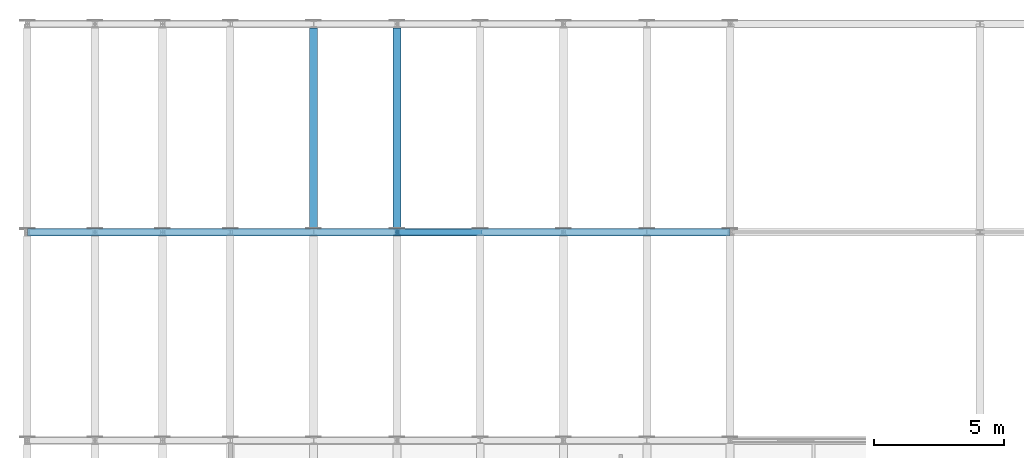
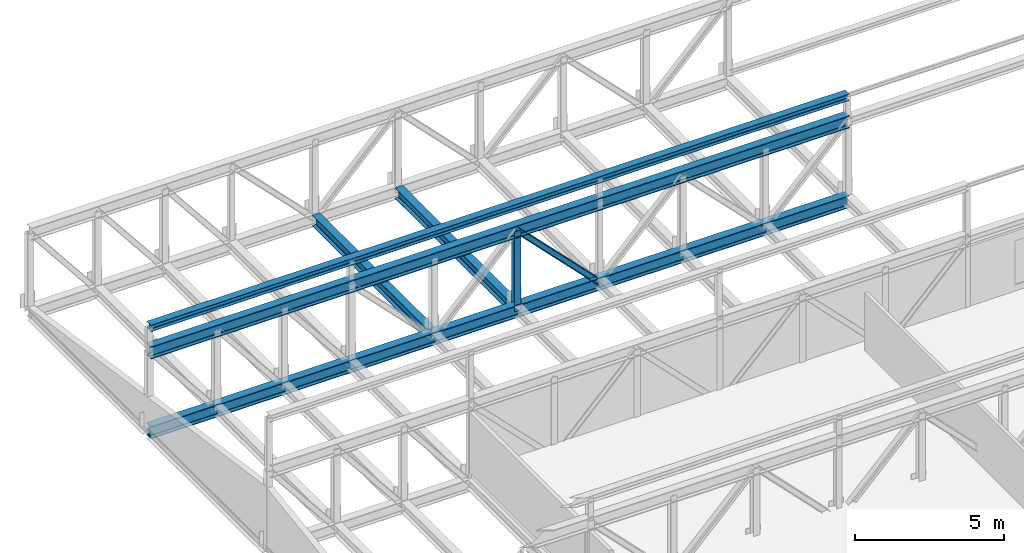
# One storey, part 19 of 34: 5 beams, 2 members.
"""IFC4 building model written with IfcOpenShell, lengths in metres."""

from ifc_helpers import new_model, si_unit, direction, frame, origin, origin_2d, place, context, subcontext, project, spatial, i_section, extrude, material, material_profile, profile_set, type_object, element, save


model = new_model("IFC4")

# Units and contexts
model_context = context("Model", 3, precision=1e-05, world=origin(), true_north=direction((0.0, 1.0)))
body_context = subcontext(model_context, "Body", "Model", "MODEL_VIEW")
ifc_project = project(units=[si_unit("LENGTHUNIT", "METRE"), si_unit("AREAUNIT", "SQUARE_METRE"), si_unit("VOLUMEUNIT", "CUBIC_METRE"), si_unit("PLANEANGLEUNIT", "RADIAN"), si_unit("MASSUNIT", "GRAM", prefix="KILO")], contexts=[model_context])

# Site, building, storey
site_placement = place(None, origin())
site = spatial("IfcSite", under=ifc_project, at=site_placement, CompositionType="ELEMENT")
building_placement = place(site_placement, origin())
building = spatial("IfcBuilding", under=site, at=building_placement, Name="Alderhovde Museum", CompositionType="ELEMENT")
storey_placement = place(building_placement, frame((0.0, 0.0, 25.800048828125)))
storey = spatial("IfcBuildingStorey", under=building, at=storey_placement, Name="L05", CompositionType="ELEMENT", Elevation=25.800048828125)

# Beams
ifc_material_1 = material(Name="Steel S355J2", Category="steel")
ifc_material_profile_1 = material_profile(ifc_material_1, i_section(OverallWidth=0.280029296875, OverallDepth=0.27001953125, WebThickness=0.008056640625, FlangeThickness=0.012939453125, FilletRadius=0.02392578125, at=origin_2d()), Name="HEA 280")
ifc_profile_set_1 = profile_set([ifc_material_profile_1], Name="Steel S355J2")
beam_type_1 = type_object("IfcBeamType", Name="BM-HEA280", PredefinedType="BEAM", material=ifc_profile_set_1)
beam_placement = place(storey_placement, frame((1.800048828125, 104.0, 3.75), z_axis=(1.0, 0.0, 0.0), x_axis=(0.0, 1.0, 0.0)))
element("IfcBeam", 1, at=beam_placement, inside=storey, type_object=beam_type_1, Name="Cantilever Wing Roof Beam Y=104 (1.8 TO 28.8)", PredefinedType="BEAM", context=body_context, shape_type="SweptSolid", body=[
    extrude(i_section(OverallWidth=0.280029296875, OverallDepth=0.27001953125, WebThickness=0.008056640625, FlangeThickness=0.012939453125, FilletRadius=0.02392578125, at=origin_2d()), origin(), (0.0, 0.0, 1.0), 27.0),
])
ifc_material_2 = material(Name="Steel S355J2", Category="steel")
ifc_material_profile_2 = material_profile(ifc_material_2, i_section(OverallWidth=0.300048828125, OverallDepth=0.43994140625, WebThickness=0.011474609375, FlangeThickness=0.02099609375, FilletRadius=0.027099609375, at=origin_2d()), Name="HEA 450")
ifc_profile_set_2 = profile_set([ifc_material_profile_2], Name="Steel S355J2")
beam_type_2 = type_object("IfcBeamType", Name="BM-HEA450", PredefinedType="BEAM", material=ifc_profile_set_2)
for number, where, z_axis, x_axis, name in (
    (2, (12.800048828125, 104.14990234375, -0.47998046875), (0.0, 1.0, 0.0), (-1.0, 0.0, 0.0), "L05 Transfer Transverse Beam X=12.8"),
    (3, (16.0, 104.14990234375, -0.47998046875), (0.0, 1.0, 0.0), (-1.0, 0.0, 0.0), "L05 Transfer Transverse Beam X=16.0"),
):
    element("IfcBeam", number, at=place(storey_placement, frame(where, z_axis=z_axis, x_axis=x_axis)), inside=storey, type_object=beam_type_2, Name=name, PredefinedType="BEAM", context=body_context, shape_type="SweptSolid", body=[
        extrude(i_section(OverallWidth=0.300048828125, OverallDepth=0.43994140625, WebThickness=0.011474609375, FlangeThickness=0.02099609375, FilletRadius=0.027099609375, at=origin_2d()), origin(), (0.0, 0.0, 1.0), 7.7001953125),
    ])
ifc_material_3 = material(Name="Steel S355J2", Category="steel")
ifc_material_profile_3 = material_profile(ifc_material_3, i_section(OverallWidth=0.300048828125, OverallDepth=0.5, WebThickness=0.014404296875, FlangeThickness=0.028076171875, FilletRadius=0.027099609375, at=origin_2d()), Name="HEB 500")
ifc_profile_set_3 = profile_set([ifc_material_profile_3], Name="Steel S355J2")
beam_type_3 = type_object("IfcBeamType", Name="BM-HEB500", PredefinedType="BEAM", material=ifc_profile_set_3)
for number, where, z_axis, x_axis, name in (
    (4, (1.800048828125, 104.0, -0.510009765625), (1.0, 0.0, 0.0), (0.0, 1.0, 0.0), "Transfer Truss Y=104 FLR5 Continuous Chord"),
    (5, (1.800048828125, 104.0, 2.75), (1.0, 0.0, 0.0), (0.0, 1.0, 0.0), "Transfer Truss Y=104 TOP Continuous Chord"),
):
    element("IfcBeam", number, at=place(storey_placement, frame(where, z_axis=z_axis, x_axis=x_axis)), inside=storey, type_object=beam_type_3, Name=name, PredefinedType="BEAM", context=body_context, shape_type="SweptSolid", body=[
        extrude(i_section(OverallWidth=0.300048828125, OverallDepth=0.5, WebThickness=0.014404296875, FlangeThickness=0.028076171875, FilletRadius=0.027099609375, at=origin_2d()), origin(), (0.0, 0.0, 1.0), 27.0),
    ])

# Members
ifc_material_4 = material(Name="Steel S355J2", Category="steel")
ifc_material_profile_4 = material_profile(ifc_material_4, i_section(OverallWidth=0.219970703125, OverallDepth=0.2099609375, WebThickness=0.007080078125, FlangeThickness=0.010986328125, FilletRadius=0.01806640625, at=origin_2d()), Name="HEA 220")
ifc_profile_set_4 = profile_set([ifc_material_profile_4], Name="Steel S355J2")
member_type_1 = type_object("IfcMemberType", Name="TR-DG-HEA220", PredefinedType="RAFTER", material=ifc_profile_set_4)
member_1_placement = place(storey_placement, frame((16.0, 104.0, 2.75), z_axis=(0.700502499188, 0.0, -0.713649948246), x_axis=(0.0, 1.0, 0.0)))
element("IfcMember", 6, at=member_1_placement, inside=storey, type_object=member_type_1, Name="Transfer Truss Y=104 T3 Diagonal 6", PredefinedType="RAFTER", context=body_context, shape_type="SweptSolid", body=[
    extrude(i_section(OverallWidth=0.219970703125, OverallDepth=0.2099609375, WebThickness=0.007080078125, FlangeThickness=0.010986328125, FilletRadius=0.01806640625, at=origin_2d()), origin(), (0.0, 0.0, 1.0), 4.568115234375),
])
ifc_material_5 = material(Name="Steel S355J2", Category="steel")
ifc_material_profile_5 = material_profile(ifc_material_5, i_section(OverallWidth=0.239990234375, OverallDepth=0.22998046875, WebThickness=0.007568359375, FlangeThickness=0.011962890625, FilletRadius=0.02099609375, at=origin_2d()), Name="HEA 240")
ifc_profile_set_5 = profile_set([ifc_material_profile_5], Name="Steel S355J2")
member_type_2 = type_object("IfcMemberType", Name="TR-PS-HEA240", PredefinedType="POST", material=ifc_profile_set_5)
member_2_placement = place(storey_placement, frame((16.0, 104.0, -0.510009765625), z_axis=(0.0, 0.0, 1.0), x_axis=(1.0, 0.0, 0.0)))
element("IfcMember", 7, at=member_2_placement, inside=storey, type_object=member_type_2, Name="Transfer Truss Y=104 T3 Post 6", PredefinedType="POST", context=body_context, shape_type="SweptSolid", body=[
    extrude(i_section(OverallWidth=0.239990234375, OverallDepth=0.22998046875, WebThickness=0.007568359375, FlangeThickness=0.011962890625, FilletRadius=0.02099609375, at=origin_2d()), origin(), (0.0, 0.0, 1.0), 3.260009765625),
])

save(model, "model.ifc")
